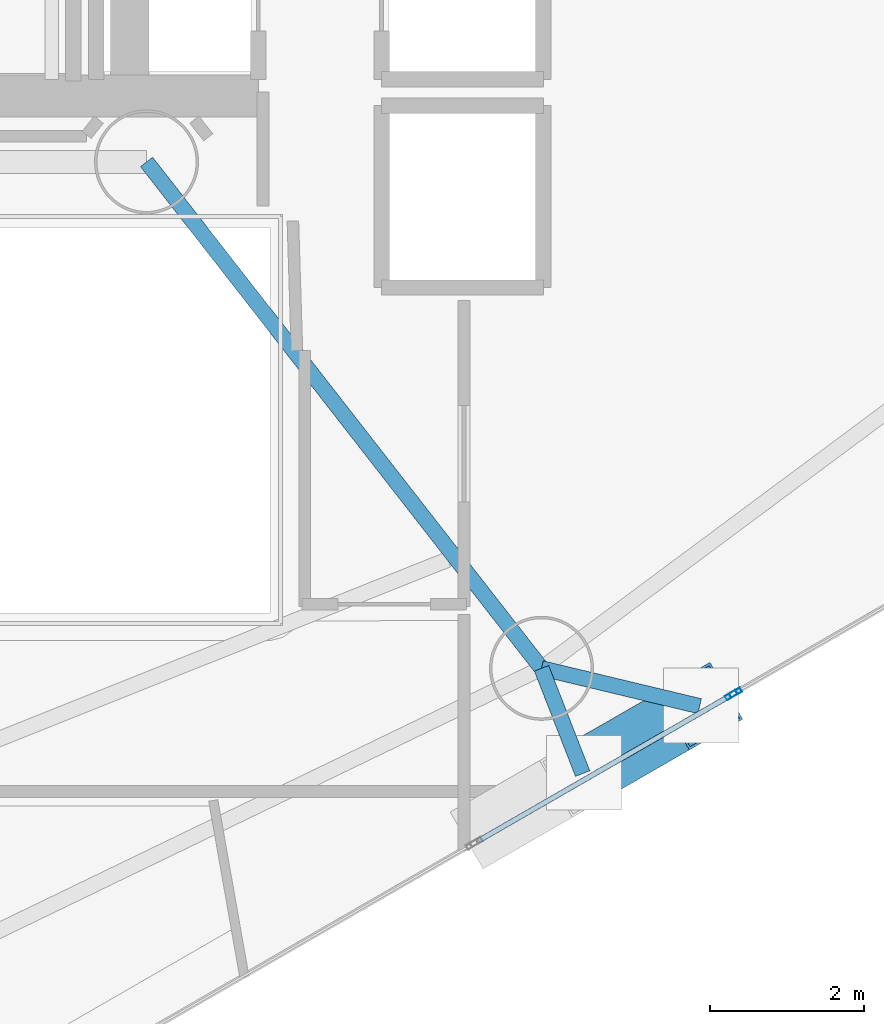
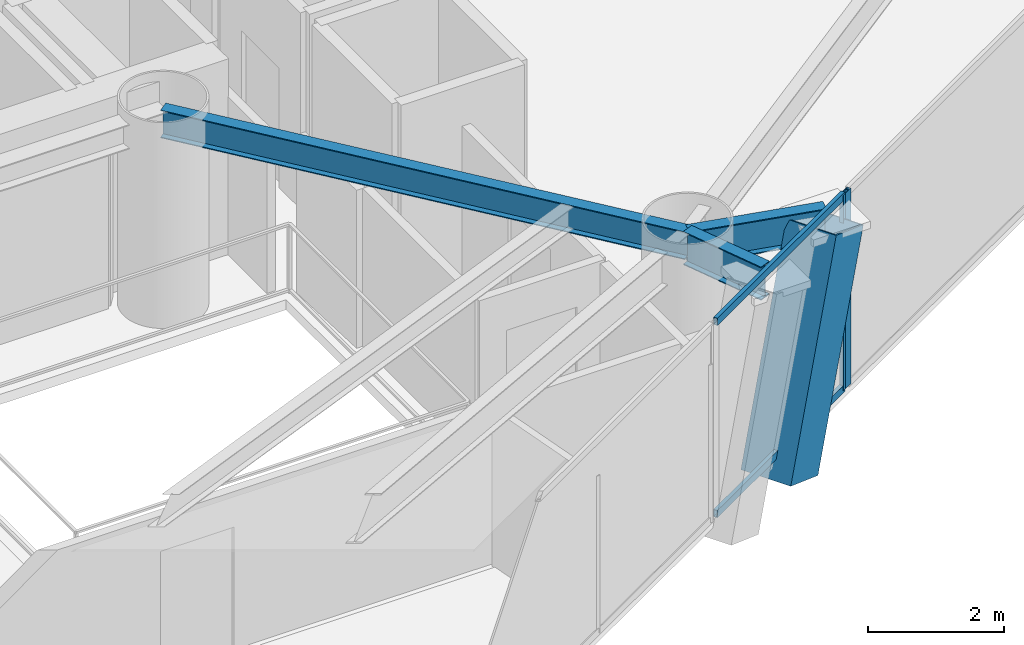
# One storey, part 6 of 22: 5 members, 3 beams, 2 elements without a shape of their own.
"""IFC4 building model written with IfcOpenShell, lengths in metres."""

import ifcopenshell
import ifcopenshell.guid

model = None  # the IFC model being written
_history = None  # IfcOwnerHistory: only IFC2X3 demands one
_inside = {}  # id of a spatial element -> (the spatial element, [elements in it])
_under = {}  # id of a project, library or spatial element -> (it, [spatial elements below it])
_declared = {}  # id of a project -> (the project, [libraries it declares])
_typed = {}  # id of a type object -> (the type object, [elements of that type])
_made_of = {}  # id of a material, layer set ... -> (it, [elements and type objects made of it])


def new_model(schema):
    """Start an empty IFC model of exactly this schema.

    Asked for "IFC4X3", IfcOpenShell would pick the latest addendum, in which some entities
    have other attributes; the version numbers below select the first issue.
    IFC2X3 requires an IfcOwnerHistory on every rooted entity: one is made here for all.
    """
    global model, _history
    if schema == "IFC4X3":
        model = ifcopenshell.file(schema_version=(4, 3, 0, 0))
    else:
        model = ifcopenshell.file(schema=schema)
    _inside.clear()
    _under.clear()
    _declared.clear()
    _typed.clear()
    _made_of.clear()
    _history = None
    if model.schema == "IFC2X3":
        org = make("IfcOrganization", Name="unknown")
        user = make(
            "IfcPersonAndOrganization",
            ThePerson=make("IfcPerson", FamilyName="unknown"),
            TheOrganization=org,
        )
        app = make(
            "IfcApplication",
            ApplicationDeveloper=org,
            Version="unknown",
            ApplicationFullName="unknown",
            ApplicationIdentifier="unknown",
        )
        _history = make(
            "IfcOwnerHistory",
            OwningUser=user,
            OwningApplication=app,
            ChangeAction="ADDED",
            CreationDate=0,
        )
    return model


def make(cls, **values):
    """One entity of the class cls with the attributes given. An attribute that is None is left unset."""
    return model.create_entity(
        cls, **{name: value for name, value in values.items() if value is not None}
    )


def rooted(cls, **values):
    """An entity with a GlobalId (a new one), such as an element, a storey or a relation."""
    return make(cls, GlobalId=ifcopenshell.guid.new(), OwnerHistory=_history, **values)


def si_unit(unit_type, name, prefix=None):
    """IfcSIUnit, for example si_unit("LENGTHUNIT", "METRE", prefix="MILLI")."""
    return make("IfcSIUnit", UnitType=unit_type, Prefix=prefix, Name=name)


def assignment(units):
    """IfcUnitAssignment: the units of a project."""
    return None if units is None else make("IfcUnitAssignment", Units=units)


def point(xyz):
    """IfcCartesianPoint."""
    return None if xyz is None else make("IfcCartesianPoint", Coordinates=xyz)


def direction(xyz):
    """IfcDirection."""
    return None if xyz is None else make("IfcDirection", DirectionRatios=xyz)


def frame(location, z_axis=None, x_axis=None):
    """IfcAxis2Placement3D, a coordinate frame: its origin and axes. An axis left out is left unset."""
    return make(
        "IfcAxis2Placement3D",
        Location=point(location),
        Axis=direction(z_axis),
        RefDirection=direction(x_axis),
    )


def frame_2d(location, x_axis=None):
    """IfcAxis2Placement2D, a coordinate frame in the plane: its origin and x axis."""
    return make(
        "IfcAxis2Placement2D", Location=point(location), RefDirection=direction(x_axis)
    )


def origin():
    """The frame at (0, 0, 0) with its axes left unset."""
    return frame((0.0, 0.0, 0.0))


def origin_2d():
    """The frame at (0, 0) in the plane with its x axis left unset."""
    return frame_2d((0.0, 0.0))


def place(relative_to, where):
    """IfcLocalPlacement: puts the frame where relative to a parent placement (None: the world)."""
    return make(
        "IfcLocalPlacement", PlacementRelTo=relative_to, RelativePlacement=where
    )


def context(
    kind, dimensions, precision=None, world=None, true_north=None, identifier=None
):
    """IfcGeometricRepresentationContext, for example the 3D "Model" context."""
    return make(
        "IfcGeometricRepresentationContext",
        ContextIdentifier=identifier,
        ContextType=kind,
        CoordinateSpaceDimension=dimensions,
        Precision=precision,
        WorldCoordinateSystem=world,
        TrueNorth=true_north,
    )


def subcontext(parent, identifier, kind, view, scale=None):
    """IfcGeometricRepresentationSubContext, for example "Body" below "Model"."""
    return make(
        "IfcGeometricRepresentationSubContext",
        ContextIdentifier=identifier,
        ContextType=kind,
        ParentContext=parent,
        TargetScale=scale,
        TargetView=view,
    )


def project(units=None, contexts=None):
    """IfcProject with its units and contexts."""
    return rooted(
        "IfcProject",
        Name="project",
        RepresentationContexts=contexts,
        UnitsInContext=assignment(units),
    )


def spatial(cls, under=None, at=None, **own):
    """A site, building, storey or space (cls), placed at a placement, below another one or the project."""
    s = rooted(cls, ObjectPlacement=at, **own)
    if under is not None:
        _under.setdefault(under.id(), (under, []))[1].append(s)
    return s


def profile(cls, at=None, kind="AREA", **sizes):
    """A parametric profile (cls). Its sizes go by their IFC names, for example OverallWidth=200.0."""
    return make(cls, ProfileType=kind, Position=at, **sizes)


def hollow_rectangle(**sizes):
    """IfcRectangleHollowProfileDef."""
    return profile("IfcRectangleHollowProfileDef", **sizes)


def i_section(**sizes):
    """IfcIShapeProfileDef."""
    return profile("IfcIShapeProfileDef", **sizes)


def extrude(swept, where, along, depth):
    """IfcExtrudedAreaSolid: the profile swept, set in the frame where, extruded along a direction by depth."""
    return make(
        "IfcExtrudedAreaSolid",
        SweptArea=swept,
        Position=where,
        ExtrudedDirection=direction(along),
        Depth=depth,
    )


def shape(context_of_items, identifier, shape_type, items):
    """IfcShapeRepresentation: the items that make up one representation, for example the "Body"."""
    return make(
        "IfcShapeRepresentation",
        ContextOfItems=context_of_items,
        RepresentationIdentifier=identifier,
        RepresentationType=shape_type,
        Items=items,
    )


def material(Name=None, Category=None):
    """IfcMaterial."""
    return make("IfcMaterial", Name=Name, Category=Category)


def layer(
    of_material, thickness, ventilated=None, Name=None, Category=None, Priority=None
):
    """IfcMaterialLayer: one layer of a wall or slab, of a material (None: an air gap)."""
    return make(
        "IfcMaterialLayer",
        Material=of_material,
        LayerThickness=thickness,
        IsVentilated=ventilated,
        Name=Name,
        Category=Category,
        Priority=Priority,
    )


def layer_set(layers, Name=None):
    """IfcMaterialLayerSet."""
    return make("IfcMaterialLayerSet", MaterialLayers=layers, LayerSetName=Name)


def material_profile(
    of_material, cross_section, Name=None, Category=None, Priority=None
):
    """IfcMaterialProfile: a cross section and its material."""
    return make(
        "IfcMaterialProfile",
        Name=Name,
        Material=of_material,
        Profile=cross_section,
        Priority=Priority,
        Category=Category,
    )


def profile_set(profiles, Name=None, composite=None):
    """IfcMaterialProfileSet."""
    return make(
        "IfcMaterialProfileSet",
        Name=Name,
        MaterialProfiles=profiles,
        CompositeProfile=composite,
    )


def made_of(thing, what):
    """Note that an element or type object is made of a material, layer set ...; save() writes the relation."""
    if what is not None:
        _made_of.setdefault(what.id(), (what, []))[1].append(thing)
    return thing


def type_object(cls, material=None, **own):
    """A type object (cls), such as IfcWallType, which elements share."""
    return made_of(rooted(cls, **own), material)


def element(
    cls,
    number,
    at=None,
    inside=None,
    cuts=None,
    type_object=None,
    material=None,
    context=None,
    identifier="Body",
    shape_type=None,
    held_by="IfcProductDefinitionShape",
    body=None,
    shapes=None,
    **own,
):
    """One element of the class cls, such as IfcWall. Its Tag is "e" and its number.

    at: its placement. inside: the storey or other place that contains it. cuts: it is an
    opening in that element (IfcRelVoidsElement). A single representation is given by context,
    identifier, shape_type and body (its items); several are given by shapes. held_by: the class
    of the entity that holds the representations. save() writes the other relations.
    """
    e = rooted(cls, Tag="e%d" % number, ObjectPlacement=at, **own)
    if body is not None:
        shapes = [shape(context, identifier, shape_type, body)]
    if shapes is not None:
        e.Representation = make(held_by, Representations=shapes)
    if inside is not None:
        _inside.setdefault(inside.id(), (inside, []))[1].append(e)
    if cuts is not None:
        rooted(
            "IfcRelVoidsElement", RelatingBuildingElement=cuts, RelatedOpeningElement=e
        )
    if type_object is not None:
        _typed.setdefault(type_object.id(), (type_object, []))[1].append(e)
    return made_of(e, material)


def aggregate(whole, parts):
    """IfcRelAggregates: a whole, such as a stair, and the parts it consists of."""
    return rooted("IfcRelAggregates", RelatingObject=whole, RelatedObjects=parts)


def save(model, path):
    """Write the relations noted so far, then the file.

    IfcRelAggregates (storeys below a building ...), IfcRelContainedInSpatialStructure (elements
    in a storey), IfcRelDefinesByType, IfcRelAssociatesMaterial and IfcRelDeclares: one each for
    every whole, place, type object, material and project.
    """
    for whole, parts in _under.values():
        aggregate(whole, parts)
    for where, things in _inside.values():
        rooted(
            "IfcRelContainedInSpatialStructure",
            RelatedElements=things,
            RelatingStructure=where,
        )
    for kind, things in _typed.values():
        rooted("IfcRelDefinesByType", RelatedObjects=things, RelatingType=kind)
    for what, things in _made_of.values():
        rooted("IfcRelAssociatesMaterial", RelatedObjects=things, RelatingMaterial=what)
    for by, libraries in _declared.values():
        rooted("IfcRelDeclares", RelatingContext=by, RelatedDefinitions=libraries)
    model.write(path)


model = new_model("IFC4")

# Units and contexts
model_context = context("Model", 3, precision=1e-05, world=origin(), true_north=direction((0.0, 1.0)))
body_context = subcontext(model_context, "Body", "Model", "MODEL_VIEW")
ifc_project = project(units=[si_unit("LENGTHUNIT", "METRE"), si_unit("AREAUNIT", "SQUARE_METRE"), si_unit("VOLUMEUNIT", "CUBIC_METRE"), si_unit("PLANEANGLEUNIT", "RADIAN"), si_unit("MASSUNIT", "GRAM", prefix="KILO")], contexts=[model_context])

# Site, building, storey
site_placement = place(None, origin())
site = spatial("IfcSite", under=ifc_project, at=site_placement, CompositionType="ELEMENT")
building_placement = place(site_placement, origin())
building = spatial("IfcBuilding", under=site, at=building_placement, Name="Qianvela Tower", CompositionType="ELEMENT")
storey_placement = place(building_placement, frame((0.0, 0.0, 169.800048828125)))
storey = spatial("IfcBuildingStorey", under=building, at=storey_placement, Name="L43", CompositionType="ELEMENT", Elevation=169.800048828125)

# Beams
ifc_material_1 = material(Name="Steel Q355B", Category="steel")
ifc_material_profile_1 = material_profile(ifc_material_1, i_section(OverallWidth=0.199951171875, OverallDepth=0.5, WebThickness=0.010009765625, FlangeThickness=0.01611328125, at=origin_2d()), Name="HN500x200x10x16")
ifc_profile_set_1 = profile_set([ifc_material_profile_1], Name="Steel Q355B")
beam_type_1 = type_object("IfcBeamType", Name="BM-HN500-GIRD", PredefinedType="BEAM", material=ifc_profile_set_1)
beam_1_placement = place(storey_placement, frame((38.39990234375, 23.85009765625, 3.26806640625), z_axis=(0.615000832816, -0.788526458424, 0.0), x_axis=(0.788526458424, 0.615000832816, 0.0)))
element("IfcBeam", 1, at=beam_1_placement, inside=storey, type_object=beam_type_1, Name="L43 Radial Primary Floor Girder 6", PredefinedType="BEAM", context=body_context, shape_type="SweptSolid", body=[
    extrude(i_section(OverallWidth=0.199951171875, OverallDepth=0.5, WebThickness=0.010009765625, FlangeThickness=0.01611328125, at=origin_2d()), origin(), (0.0, 0.0, 1.0), 8.333251953125),
])
ifc_material_2 = material(Name="Steel Q355B", Category="steel")
ifc_material_profile_2 = material_profile(ifc_material_2, i_section(OverallWidth=0.199951171875, OverallDepth=0.60009765625, WebThickness=0.010986328125, FlangeThickness=0.01708984375, at=origin_2d()), Name="HN600x200x11x17")
ifc_profile_set_2 = profile_set([ifc_material_profile_2], Name="Steel Q355B")
beam_type_2 = type_object("IfcBeamType", Name="BM-HN600-GIRD", PredefinedType="BEAM", material=ifc_profile_set_2)
beam_2_placement = place(storey_placement, frame((43.52490234375, 17.279052734375, 3.218017578125), z_axis=(0.363803148142, -0.931475855512, 0.0), x_axis=(0.931475855512, 0.363803148142, 0.0)))
element("IfcBeam", 2, at=beam_2_placement, inside=storey, type_object=beam_type_2, Name="L43 Mega-Brace Column Tie Bracket F3-1", PredefinedType="BEAM", context=body_context, shape_type="SweptSolid", body=[
    extrude(i_section(OverallWidth=0.199951171875, OverallDepth=0.60009765625, WebThickness=0.010986328125, FlangeThickness=0.01708984375, at=origin_2d()), origin(), (0.0, 0.0, 1.0), 1.467041015625),
])
beam_3_placement = place(storey_placement, frame((43.52490234375, 17.279052734375, 3.218017578125), z_axis=(0.972497471663, -0.232913433725, 0.0), x_axis=(0.232913433725, 0.972497471663, 0.0)))
element("IfcBeam", 3, at=beam_3_placement, inside=storey, type_object=beam_type_2, Name="L43 Mega-Brace Column Tie Bracket F3-2", PredefinedType="BEAM", context=body_context, shape_type="SweptSolid", body=[
    extrude(i_section(OverallWidth=0.199951171875, OverallDepth=0.60009765625, WebThickness=0.010986328125, FlangeThickness=0.01708984375, at=origin_2d()), origin(), (0.0, 0.0, 1.0), 2.110107421875),
])

# Curtain wall, members
ifc_material_3 = material(Name="Anodised Architectural Aluminium and Insulated Spandrel Panel", Category="aluminium")
ifc_layer_1 = layer(ifc_material_3, 0.179931640625)
ifc_layer_set_1 = layer_set([ifc_layer_1], Name="Anodised Architectural Aluminium and Insulated Spandrel Panel")
curtain_wall_type_1 = type_object("IfcCurtainWallType", Name="CW-BRACEBAY", PredefinedType="USERDEFINED", material=ifc_layer_set_1)
curtain_wall_1_placement = place(storey_placement, origin())
curtain_wall_1 = element("IfcCurtainWall", 4, at=curtain_wall_1_placement, inside=storey, type_object=curtain_wall_type_1, Name="L43 CW-BRACEBAY Curtain Wall 06B", ObjectType="CURTAIN_WALL_SYSTEM", PredefinedType="USERDEFINED")
ifc_material_4 = material(Name="Anodised Architectural Aluminium 6063-T6", Category="aluminium")
ifc_material_profile_3 = material_profile(ifc_material_4, hollow_rectangle(XDim=0.06494140625, YDim=0.159912109375, WallThickness=0.0048828125, at=origin_2d()), Name="ALU-MULL-65x160")
ifc_profile_set_3 = profile_set([ifc_material_profile_3], Name="Anodised Architectural Aluminium 6063-T6")
member_type_1 = type_object("IfcMemberType", Name="CW-BRACEBAY-MULL", PredefinedType="MULLION", material=ifc_profile_set_3)
member_1_placement = place(storey_placement, frame((45.986328125, 16.93115234375, 0.0), z_axis=(0.0, 0.0, 1.0), x_axis=(-0.499277636137, 0.866442059259, 0.0)))
member_1 = element("IfcMember", 5, at=member_1_placement, type_object=member_type_1, Name="CW-9 mullion 2", PredefinedType="MULLION", context=body_context, shape_type="SweptSolid", body=[
    extrude(hollow_rectangle(XDim=0.06494140625, YDim=0.159912109375, WallThickness=0.0048828125, at=origin_2d()), origin(), (0.0, 0.0, 1.0), 3.52001953125),
])
ifc_material_5 = material(Name="Anodised Architectural Aluminium 6063-T6", Category="aluminium")
ifc_material_profile_4 = material_profile(ifc_material_5, hollow_rectangle(XDim=0.06494140625, YDim=0.1298828125, WallThickness=0.00439453125, at=origin_2d()), Name="ALU-TRAN-65x130")
ifc_profile_set_4 = profile_set([ifc_material_profile_4], Name="Anodised Architectural Aluminium 6063-T6")
member_type_2 = type_object("IfcMemberType", Name="CW-BRACEBAY-TRAN", PredefinedType="USERDEFINED", material=ifc_profile_set_4)
member_2_placement = place(storey_placement, frame((42.708984375, 15.04248046875, 0.032470703125), z_axis=(0.866446671782, 0.49926963152, 0.0), x_axis=(-0.49926963152, 0.866446671782, 0.0)))
member_2 = element("IfcMember", 6, at=member_2_placement, type_object=member_type_2, Name="CW-9 transom 1.1", ObjectType="TRANSOM", PredefinedType="USERDEFINED", context=body_context, shape_type="SweptSolid", body=[
    extrude(hollow_rectangle(XDim=0.06494140625, YDim=0.1298828125, WallThickness=0.00439453125, at=origin_2d()), origin(), (0.0, 0.0, 1.0), 3.75),
])
member_3_placement = place(storey_placement, frame((42.708984375, 15.04248046875, 3.487548828125), z_axis=(0.866446671782, 0.49926963152, 0.0), x_axis=(-0.49926963152, 0.866446671782, 0.0)))
member_3 = element("IfcMember", 7, at=member_3_placement, type_object=member_type_2, Name="CW-9 transom 1.2", ObjectType="TRANSOM", PredefinedType="USERDEFINED", context=body_context, shape_type="SweptSolid", body=[
    extrude(hollow_rectangle(XDim=0.06494140625, YDim=0.1298828125, WallThickness=0.00439453125, at=origin_2d()), origin(), (0.0, 0.0, 1.0), 3.75),
])
aggregate(curtain_wall_1, [member_1, member_2, member_3])

# Curtain wall, member
ifc_material_6 = material(Name="Anodised Architectural Aluminium and Low-E Glass", Category="aluminium")
ifc_layer_2 = layer(ifc_material_6, 0.169921875)
ifc_layer_set_2 = layer_set([ifc_layer_2], Name="Anodised Architectural Aluminium and Low-E Glass")
curtain_wall_type_2 = type_object("IfcCurtainWallType", Name="CW-COLIV-Z34", PredefinedType="USERDEFINED", material=ifc_layer_set_2)
curtain_wall_2_placement = place(storey_placement, origin())
curtain_wall_2 = element("IfcCurtainWall", 8, at=curtain_wall_2_placement, inside=storey, type_object=curtain_wall_type_2, Name="L43 CW-COLIV-Z34 Curtain Wall 06C", ObjectType="CURTAIN_WALL_SYSTEM", PredefinedType="USERDEFINED")
ifc_material_7 = material(Name="Anodised Architectural Aluminium 6063-T6", Category="aluminium")
ifc_material_profile_5 = material_profile(ifc_material_7, hollow_rectangle(XDim=0.06494140625, YDim=0.159912109375, WallThickness=0.0048828125, at=origin_2d()), Name="ALU-MULL-65x160")
ifc_profile_set_5 = profile_set([ifc_material_profile_5], Name="Anodised Architectural Aluminium 6063-T6")
member_type_3 = type_object("IfcMemberType", Name="CW-COLIV-Z34-MULL", PredefinedType="MULLION", material=ifc_profile_set_5)
member_4_placement = place(storey_placement, frame((46.042724609375, 16.963623046875, 0.0), z_axis=(0.0, 0.0, 1.0), x_axis=(-0.499289940682, 0.866434968785, 0.0)))
member_4 = element("IfcMember", 9, at=member_4_placement, type_object=member_type_3, Name="CW-4 mullion 1", PredefinedType="MULLION", context=body_context, shape_type="SweptSolid", body=[
    extrude(hollow_rectangle(XDim=0.06494140625, YDim=0.159912109375, WallThickness=0.0048828125, at=origin_2d()), origin(), (0.0, 0.0, 1.0), 3.52001953125),
])
aggregate(curtain_wall_2, [member_4])

# Member
ifc_material_8 = material(Name="Steel Q420GJC", Category="steel")
ifc_material_profile_6 = material_profile(ifc_material_8, hollow_rectangle(XDim=0.85009765625, YDim=0.85009765625, WallThickness=0.031982421875, at=origin_2d()), Name="MBOX-850x850x32")
ifc_profile_set_6 = profile_set([ifc_material_profile_6], Name="Steel Q420GJC")
member_type_4 = type_object("IfcMemberType", Name="MBR-MBRACE-850", PredefinedType="BRACE", material=ifc_profile_set_6)
member_5_placement = place(storey_placement, frame((44.417724609375, 16.11962890625, -0.48193359375), z_axis=(0.294626657591, 0.169776439589, 0.940410066512), x_axis=(-0.499280048585, 0.866440669108, 0.0)))
element("IfcMember", 10, at=member_5_placement, inside=storey, type_object=member_type_4, Name="L43 Tier 7 Exterior Mega-Brace F3B", PredefinedType="BRACE", context=body_context, shape_type="SweptSolid", body=[
    extrude(hollow_rectangle(XDim=0.85009765625, YDim=0.85009765625, WallThickness=0.031982421875, at=origin_2d()), origin(), (0.0, 0.0, 1.0), 3.934326171875),
])

save(model, "model.ifc")
